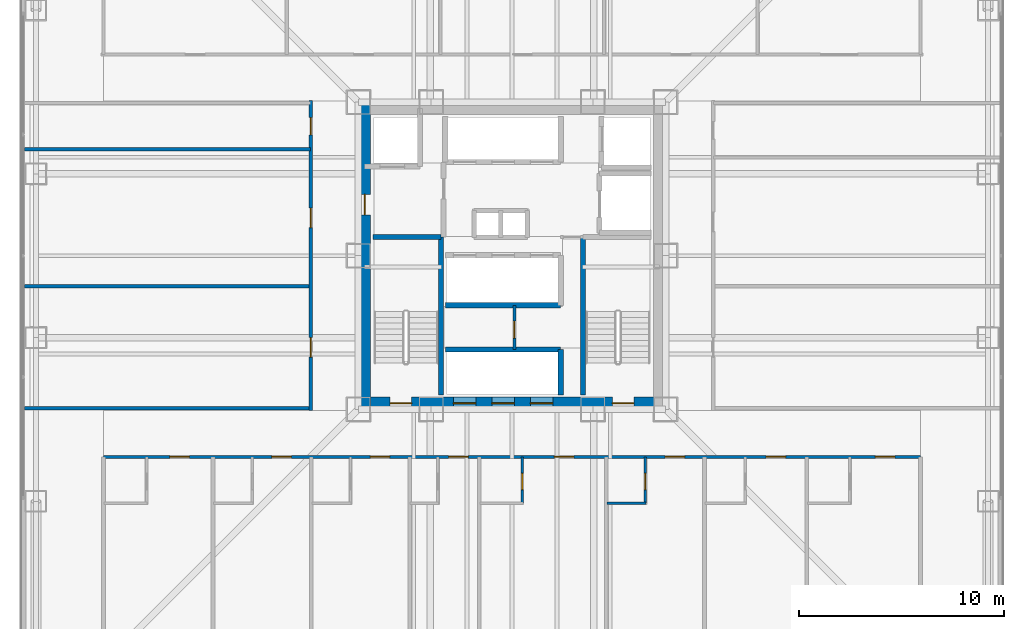
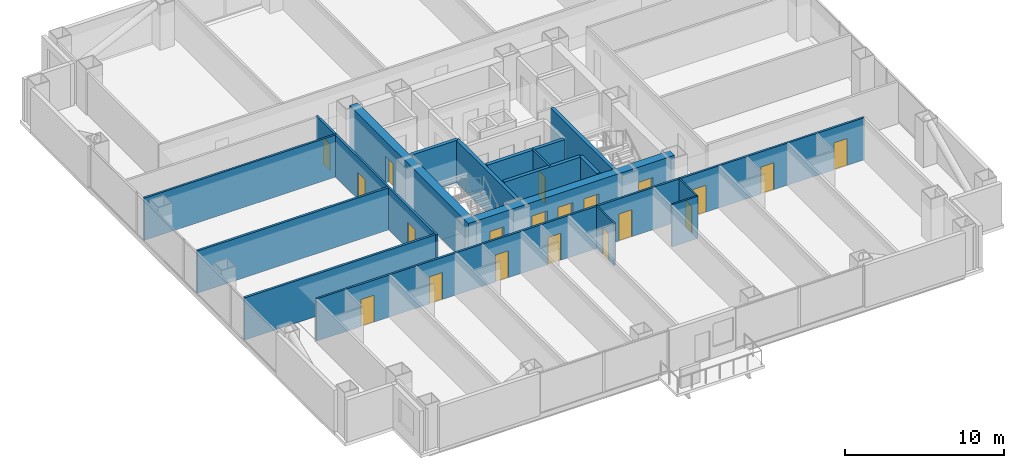
# One storey, part 11 of 16: 20 doors, 17 walls, 20 openings.
"""IFC4 building model written with IfcOpenShell, lengths in metres."""

from ifc_helpers import new_model, si_unit, direction, frame, frame_2d, origin, place, context, subcontext, project, spatial, rectangle, extrude, material, layer, layer_set, type_object, element, fill, save


model = new_model("IFC4")

# Units and contexts
model_context = context("Model", 3, precision=1e-05, world=origin(), true_north=direction((0.0, 1.0)))
body_context = subcontext(model_context, "Body", "Model", "MODEL_VIEW")
ifc_project = project(units=[si_unit("LENGTHUNIT", "METRE"), si_unit("AREAUNIT", "SQUARE_METRE"), si_unit("VOLUMEUNIT", "CUBIC_METRE"), si_unit("PLANEANGLEUNIT", "RADIAN"), si_unit("MASSUNIT", "GRAM", prefix="KILO")], contexts=[model_context])

# Site, building, storey
site_placement = place(None, origin())
site = spatial("IfcSite", under=ifc_project, at=site_placement, CompositionType="ELEMENT")
building_placement = place(site_placement, origin())
building = spatial("IfcBuilding", under=site, at=building_placement, Name="Trevonay Congress Spire", CompositionType="ELEMENT")
storey_placement = place(building_placement, frame((0.0, 0.0, 65.5)))
storey = spatial("IfcBuildingStorey", under=building, at=storey_placement, Name="L16", CompositionType="ELEMENT", Elevation=65.5)

# Wall, opening, door
ifc_material_1 = material(Name="Concrete C40/50", Category="concrete")
ifc_layer_1 = layer(ifc_material_1, 0.1201171875, Name="Concrete C40/50")
ifc_layer_set_1 = layer_set([ifc_layer_1], Name="Concrete C40/50")
wall_type_1 = type_object("IfcWallType", Name="WAL-BATH-120", PredefinedType="PLUMBINGWALL", material=ifc_layer_set_1)
wall_1_placement = place(storey_placement, frame((0.5, -12.080078125, 0.0), z_axis=(0.0, 0.0, 1.0), x_axis=(0.0, 1.0, 0.0)))
wall_1 = element("IfcWall", 1, at=wall_1_placement, inside=storey, type_object=wall_type_1, Name="L16 interior wall WH-L16S-BS5", PredefinedType="PLUMBINGWALL", context=body_context, shape_type="SweptSolid", body=[
    extrude(rectangle(XDim=2.25, YDim=0.1201171875, at=frame_2d((1.125, 0.0))), origin(), (0.0, 0.0, 1.0), 3.25),
])
opening_1_placement = place(wall_1_placement, frame((0.64990234375, 0.0, 0.0)))
opening_1 = element("IfcOpeningElement", 2, at=opening_1_placement, cuts=wall_1, Name="Opening D11", PredefinedType="OPENING", context=body_context, shape_type="SweptSolid", body=[
    extrude(rectangle(XDim=0.800048828125, YDim=2.050048828125, at=frame_2d((0.39990234375, 1.02490234375))), frame((0.0, 0.070068359375, 0.0), z_axis=(0.0, -1.0, 0.0), x_axis=(1.0, 0.0, 0.0)), (0.0, 0.0, 1.0), 0.14013671875),
])
ifc_material_2 = material(Name="Pale Anodised Aluminium EN AW-6063-T6", Category="aluminium")
door_type_1 = type_object("IfcDoorType", Name="DOR-BATH-80", OperationType="NOTDEFINED", PredefinedType="DOOR", material=ifc_material_2)
door_1_placement = place(opening_1_placement, origin())
door_1 = element("IfcDoor", 3, at=door_1_placement, inside=storey, type_object=door_type_1, Name="L16 En-suite Bathroom Door", OperationType="SINGLE_SWING_LEFT", OverallHeight=2.050048828125, OverallWidth=0.800048828125, PredefinedType="DOOR", context=body_context, shape_type="SweptSolid", body=[
    extrude(rectangle(XDim=0.800048828125, YDim=2.050048828125, at=frame_2d((0.39990234375, 1.02490234375))), frame((0.0, 0.02490234375, 0.0), z_axis=(0.0, -1.0, 0.0), x_axis=(1.0, 0.0, 0.0)), (0.0, 0.0, 1.0), 0.050048828125),
])
fill(opening_1, door_1)

wall_2_placement = place(storey_placement, frame((6.512939453125, -12.080078125, 0.0), z_axis=(0.0, 0.0, 1.0), x_axis=(0.0, 1.0, 0.0)))
wall_2 = element("IfcWall", 4, at=wall_2_placement, inside=storey, type_object=wall_type_1, Name="L16 interior wall WH-L16S-BS6", PredefinedType="PLUMBINGWALL", context=body_context, shape_type="SweptSolid", body=[
    extrude(rectangle(XDim=2.25, YDim=0.1201171875, at=frame_2d((1.125, 0.0))), origin(), (0.0, 0.0, 1.0), 3.25),
])
opening_2_placement = place(wall_2_placement, frame((0.64990234375, 0.0, 0.0)))
opening_2 = element("IfcOpeningElement", 5, at=opening_2_placement, cuts=wall_2, Name="Opening D11", PredefinedType="OPENING", context=body_context, shape_type="SweptSolid", body=[
    extrude(rectangle(XDim=0.800048828125, YDim=2.050048828125, at=frame_2d((0.39990234375, 1.02490234375))), frame((0.0, 0.070068359375, 0.0), z_axis=(0.0, -1.0, 0.0), x_axis=(1.0, 0.0, 0.0)), (0.0, 0.0, 1.0), 0.14013671875),
])
door_2_placement = place(opening_2_placement, origin())
door_2 = element("IfcDoor", 6, at=door_2_placement, inside=storey, type_object=door_type_1, Name="L16 En-suite Bathroom Door", OperationType="SINGLE_SWING_RIGHT", OverallHeight=2.050048828125, OverallWidth=0.800048828125, PredefinedType="DOOR", context=body_context, shape_type="SweptSolid", body=[
    extrude(rectangle(XDim=0.800048828125, YDim=2.050048828125, at=frame_2d((0.39990234375, 1.02490234375))), frame((0.0, 0.02490234375, 0.0), z_axis=(0.0, -1.0, 0.0), x_axis=(1.0, 0.0, 0.0)), (0.0, 0.0, 1.0), 0.050048828125),
])
fill(opening_2, door_2)

# Wall
wall_3_placement = place(storey_placement, frame((4.6298828125, -12.080078125, 0.0), z_axis=(0.0, 0.0, 1.0), x_axis=(1.0, 0.0, 0.0)))
element("IfcWall", 7, at=wall_3_placement, inside=storey, type_object=wall_type_1, Name="L16 interior wall WH-L16S-BF6", PredefinedType="PLUMBINGWALL", context=body_context, shape_type="SweptSolid", body=[
    extrude(rectangle(XDim=1.9130859375, YDim=0.1201171875, at=frame_2d((0.95654296875, 0.0))), origin(), (0.0, 0.0, 1.0), 3.25),
])

# Wall, openings, doors
ifc_material_3 = material(Name="Concrete C60/75", Category="concrete")
ifc_layer_2 = layer(ifc_material_3, 0.60009765625, Name="Concrete C60/75")
ifc_layer_set_2 = layer_set([ifc_layer_2], Name="Concrete C60/75")
wall_type_2 = type_object("IfcWallType", Name="WAL-CORE-600", PredefinedType="SHEAR", material=ifc_layer_set_2)
wall_4_placement = place(storey_placement, frame((-7.5, -7.199951171875, 0.0), z_axis=(0.0, 0.0, 1.0), x_axis=(1.0, 0.0, 0.0)))
wall_4 = element("IfcWall", 8, at=wall_4_placement, inside=storey, type_object=wall_type_2, Name="L16 South structural core shear wall", PredefinedType="SHEAR", context=body_context, shape_type="SweptSolid", body=[
    extrude(rectangle(XDim=15.0, YDim=0.60009765625, at=frame_2d((7.5, 0.0))), origin(), (0.0, 0.0, 1.0), 3.25),
])
opening_3_placement = place(wall_4_placement, frame((1.550048828125, 0.0, 0.0)))
opening_3 = element("IfcOpeningElement", 9, at=opening_3_placement, cuts=wall_4, Name="Opening D05", PredefinedType="OPENING", context=body_context, shape_type="SweptSolid", body=[
    extrude(rectangle(XDim=1.050048828125, YDim=2.080078125, at=frame_2d((0.52490234375, 1.0400390625))), frame((0.0, 0.31005859375, 0.0), z_axis=(0.0, -1.0, 0.0), x_axis=(1.0, 0.0, 0.0)), (0.0, 0.0, 1.0), 0.6201171875),
])
opening_4_placement = place(wall_4_placement, frame((12.39990234375, 0.0, 0.0)))
opening_4 = element("IfcOpeningElement", 10, at=opening_4_placement, cuts=wall_4, Name="Opening D05", PredefinedType="OPENING", context=body_context, shape_type="SweptSolid", body=[
    extrude(rectangle(XDim=1.050048828125, YDim=2.080078125, at=frame_2d((0.52490234375, 1.0400390625))), frame((0.0, 0.31005859375, 0.0), z_axis=(0.0, -1.0, 0.0), x_axis=(1.0, 0.0, 0.0)), (0.0, 0.0, 1.0), 0.6201171875),
])
opening_5_placement = place(wall_4_placement, frame((4.639892578125, 0.0, 0.0)))
opening_5 = element("IfcOpeningElement", 11, at=opening_5_placement, cuts=wall_4, Name="Opening LD01", PredefinedType="OPENING", context=body_context, shape_type="SweptSolid", body=[
    extrude(rectangle(XDim=1.10009765625, YDim=2.199951171875, at=frame_2d((0.550048828125, 1.10009765625))), frame((0.0, 0.31005859375, 0.0), z_axis=(0.0, -1.0, 0.0), x_axis=(1.0, 0.0, 0.0)), (0.0, 0.0, 1.0), 0.6201171875),
])
opening_6_placement = place(wall_4_placement, frame((6.52001953125, 0.0, 0.0)))
opening_6 = element("IfcOpeningElement", 12, at=opening_6_placement, cuts=wall_4, Name="Opening LD01", PredefinedType="OPENING", context=body_context, shape_type="SweptSolid", body=[
    extrude(rectangle(XDim=1.10009765625, YDim=2.199951171875, at=frame_2d((0.550048828125, 1.10009765625))), frame((0.0, 0.31005859375, 0.0), z_axis=(0.0, -1.0, 0.0), x_axis=(1.0, 0.0, 0.0)), (0.0, 0.0, 1.0), 0.6201171875),
])
opening_7_placement = place(wall_4_placement, frame((8.39990234375, 0.0, 0.0)))
opening_7 = element("IfcOpeningElement", 13, at=opening_7_placement, cuts=wall_4, Name="Opening LD01", PredefinedType="OPENING", context=body_context, shape_type="SweptSolid", body=[
    extrude(rectangle(XDim=1.10009765625, YDim=2.199951171875, at=frame_2d((0.550048828125, 1.10009765625))), frame((0.0, 0.31005859375, 0.0), z_axis=(0.0, -1.0, 0.0), x_axis=(1.0, 0.0, 0.0)), (0.0, 0.0, 1.0), 0.6201171875),
])
door_type_2 = type_object("IfcDoorType", Name="DOR-LIFT-LD01", OperationType="DOUBLE_DOOR_SLIDING", PredefinedType="DOOR", material=ifc_material_2)
door_3_placement = place(opening_5_placement, origin())
door_3 = element("IfcDoor", 14, at=door_3_placement, inside=storey, type_object=door_type_2, Name="L16 Passenger lift PL-01 landing door", OperationType="DOUBLE_DOOR_SLIDING", OverallHeight=2.199951171875, OverallWidth=1.10009765625, PredefinedType="DOOR", context=body_context, shape_type="SweptSolid", body=[
    extrude(rectangle(XDim=1.10009765625, YDim=2.199951171875, at=frame_2d((0.550048828125, 1.10009765625))), frame((0.0, 0.02490234375, 0.0), z_axis=(0.0, -1.0, 0.0), x_axis=(1.0, 0.0, 0.0)), (0.0, 0.0, 1.0), 0.050048828125),
])
fill(opening_5, door_3)
door_4_placement = place(opening_6_placement, origin())
door_4 = element("IfcDoor", 15, at=door_4_placement, inside=storey, type_object=door_type_2, Name="L16 Passenger lift PL-02 landing door", OperationType="DOUBLE_DOOR_SLIDING", OverallHeight=2.199951171875, OverallWidth=1.10009765625, PredefinedType="DOOR", context=body_context, shape_type="SweptSolid", body=[
    extrude(rectangle(XDim=1.10009765625, YDim=2.199951171875, at=frame_2d((0.550048828125, 1.10009765625))), frame((0.0, 0.02490234375, 0.0), z_axis=(0.0, -1.0, 0.0), x_axis=(1.0, 0.0, 0.0)), (0.0, 0.0, 1.0), 0.050048828125),
])
fill(opening_6, door_4)
door_5_placement = place(opening_7_placement, origin())
door_5 = element("IfcDoor", 16, at=door_5_placement, inside=storey, type_object=door_type_2, Name="L16 Passenger lift PL-03 landing door", OperationType="DOUBLE_DOOR_SLIDING", OverallHeight=2.199951171875, OverallWidth=1.10009765625, PredefinedType="DOOR", context=body_context, shape_type="SweptSolid", body=[
    extrude(rectangle(XDim=1.10009765625, YDim=2.199951171875, at=frame_2d((0.550048828125, 1.10009765625))), frame((0.0, 0.02490234375, 0.0), z_axis=(0.0, -1.0, 0.0), x_axis=(1.0, 0.0, 0.0)), (0.0, 0.0, 1.0), 0.050048828125),
])
fill(opening_7, door_5)
ifc_material_4 = material(Name="Steel ASTM A572 Grade 50", Category="steel")
door_type_3 = type_object("IfcDoorType", Name="DOR-STAIR-110", OperationType="NOTDEFINED", PredefinedType="DOOR", material=ifc_material_4)
door_6_placement = place(opening_3_placement, origin())
door_6 = element("IfcDoor", 17, at=door_6_placement, inside=storey, type_object=door_type_3, Name="L16 Protected Stair ST-1 Door", OperationType="SINGLE_SWING_LEFT", OverallHeight=2.080078125, OverallWidth=1.050048828125, PredefinedType="DOOR", context=body_context, shape_type="SweptSolid", body=[
    extrude(rectangle(XDim=1.050048828125, YDim=2.080078125, at=frame_2d((0.52490234375, 1.0400390625))), frame((0.0, 0.02490234375, 0.0), z_axis=(0.0, -1.0, 0.0), x_axis=(1.0, 0.0, 0.0)), (0.0, 0.0, 1.0), 0.050048828125),
])
fill(opening_3, door_6)
door_7_placement = place(opening_4_placement, origin())
door_7 = element("IfcDoor", 18, at=door_7_placement, inside=storey, type_object=door_type_3, Name="L16 Protected Stair ST-2 Door", OperationType="SINGLE_SWING_RIGHT", OverallHeight=2.080078125, OverallWidth=1.050048828125, PredefinedType="DOOR", context=body_context, shape_type="SweptSolid", body=[
    extrude(rectangle(XDim=1.050048828125, YDim=2.080078125, at=frame_2d((0.52490234375, 1.0400390625))), frame((0.0, 0.02490234375, 0.0), z_axis=(0.0, -1.0, 0.0), x_axis=(1.0, 0.0, 0.0)), (0.0, 0.0, 1.0), 0.050048828125),
])
fill(opening_4, door_7)

# Wall, opening, door
wall_5_placement = place(storey_placement, frame((-7.199951171875, -7.5, 0.0), z_axis=(0.0, 0.0, 1.0), x_axis=(0.0, 1.0, 0.0)))
wall_5 = element("IfcWall", 19, at=wall_5_placement, inside=storey, type_object=wall_type_2, Name="L16 West structural core shear wall", PredefinedType="SHEAR", context=body_context, shape_type="SweptSolid", body=[
    extrude(rectangle(XDim=15.0, YDim=0.60009765625, at=frame_2d((7.5, 0.0))), origin(), (0.0, 0.0, 1.0), 3.25),
])
opening_8_placement = place(wall_5_placement, frame((9.5, 0.0, 0.0)))
opening_8 = element("IfcOpeningElement", 20, at=opening_8_placement, cuts=wall_5, Name="Opening D06", PredefinedType="OPENING", context=body_context, shape_type="SweptSolid", body=[
    extrude(rectangle(XDim=1.0, YDim=2.080078125, at=frame_2d((0.5, 1.0400390625))), frame((0.0, 0.31005859375, 0.0), z_axis=(0.0, -1.0, 0.0), x_axis=(1.0, 0.0, 0.0)), (0.0, 0.0, 1.0), 0.6201171875),
])
door_type_4 = type_object("IfcDoorType", Name="DOR-FIRE-100", OperationType="NOTDEFINED", PredefinedType="DOOR", material=ifc_material_4)
door_8_placement = place(opening_8_placement, origin())
door_8 = element("IfcDoor", 21, at=door_8_placement, inside=storey, type_object=door_type_4, Name="L16 Firefighting Lift Lobby West Corridor Door", OperationType="SINGLE_SWING_LEFT", OverallHeight=2.080078125, OverallWidth=1.0, PredefinedType="DOOR", context=body_context, shape_type="SweptSolid", body=[
    extrude(rectangle(XDim=1.0, YDim=2.080078125, at=frame_2d((0.5, 1.0400390625))), frame((0.0, 0.02490234375, 0.0), z_axis=(0.0, -1.0, 0.0), x_axis=(1.0, 0.0, 0.0)), (0.0, 0.0, 1.0), 0.050048828125),
])
fill(opening_8, door_8)

# Wall, openings, doors
ifc_layer_3 = layer(ifc_material_1, 0.14990234375, Name="Concrete C40/50")
ifc_layer_set_3 = layer_set([ifc_layer_3], Name="Concrete C40/50")
wall_type_3 = type_object("IfcWallType", Name="WAL-CORR-150", PredefinedType="PARTITIONING", material=ifc_layer_set_3)
wall_6_placement = place(storey_placement, frame((-19.949951171875, -9.830078125, 0.0), z_axis=(0.0, 0.0, 1.0), x_axis=(1.0, 0.0, 0.0)))
wall_6 = element("IfcWall", 22, at=wall_6_placement, inside=storey, type_object=wall_type_3, Name="L16 interior wall WH-L16S-COR", PredefinedType="PARTITIONING", context=body_context, shape_type="SweptSolid", body=[
    extrude(rectangle(XDim=39.89990234375, YDim=0.14990234375, at=frame_2d((19.949951171875, 0.0))), origin(), (0.0, 0.0, 1.0), 3.25),
])
opening_9_placement = place(wall_6_placement, frame((3.2451171875, 0.0, 0.0)))
opening_9 = element("IfcOpeningElement", 23, at=opening_9_placement, cuts=wall_6, Name="Opening D08", PredefinedType="OPENING", context=body_context, shape_type="SweptSolid", body=[
    extrude(rectangle(XDim=0.949951171875, YDim=2.080078125, at=frame_2d((0.47509765625, 1.0400390625))), frame((0.0, 0.0849609375, 0.0), z_axis=(0.0, -1.0, 0.0), x_axis=(1.0, 0.0, 0.0)), (0.0, 0.0, 1.0), 0.169921875),
])
opening_10_placement = place(wall_6_placement, frame((8.2265625, 0.0, 0.0)))
opening_10 = element("IfcOpeningElement", 24, at=opening_10_placement, cuts=wall_6, Name="Opening D08", PredefinedType="OPENING", context=body_context, shape_type="SweptSolid", body=[
    extrude(rectangle(XDim=0.949951171875, YDim=2.080078125, at=frame_2d((0.47509765625, 1.0400390625))), frame((0.0, 0.0849609375, 0.0), z_axis=(0.0, -1.0, 0.0), x_axis=(1.0, 0.0, 0.0)), (0.0, 0.0, 1.0), 0.169921875),
])
opening_11_placement = place(wall_6_placement, frame((13.026611328125, 0.0, 0.0)))
opening_11 = element("IfcOpeningElement", 25, at=opening_11_placement, cuts=wall_6, Name="Opening D08", PredefinedType="OPENING", context=body_context, shape_type="SweptSolid", body=[
    extrude(rectangle(XDim=0.949951171875, YDim=2.080078125, at=frame_2d((0.47509765625, 1.0400390625))), frame((0.0, 0.0849609375, 0.0), z_axis=(0.0, -1.0, 0.0), x_axis=(1.0, 0.0, 0.0)), (0.0, 0.0, 1.0), 0.169921875),
])
opening_12_placement = place(wall_6_placement, frame((16.860595703125, 0.0, 0.0)))
opening_12 = element("IfcOpeningElement", 26, at=opening_12_placement, cuts=wall_6, Name="Opening D08", PredefinedType="OPENING", context=body_context, shape_type="SweptSolid", body=[
    extrude(rectangle(XDim=0.949951171875, YDim=2.080078125, at=frame_2d((0.47509765625, 1.0400390625))), frame((0.0, 0.0849609375, 0.0), z_axis=(0.0, -1.0, 0.0), x_axis=(1.0, 0.0, 0.0)), (0.0, 0.0, 1.0), 0.169921875),
])
opening_13_placement = place(wall_6_placement, frame((22.02001953125, 0.0, 0.0)))
opening_13 = element("IfcOpeningElement", 27, at=opening_13_placement, cuts=wall_6, Name="Opening D08", PredefinedType="OPENING", context=body_context, shape_type="SweptSolid", body=[
    extrude(rectangle(XDim=0.949951171875, YDim=2.080078125, at=frame_2d((0.47509765625, 1.0400390625))), frame((0.0, 0.0849609375, 0.0), z_axis=(0.0, -1.0, 0.0), x_axis=(1.0, 0.0, 0.0)), (0.0, 0.0, 1.0), 0.169921875),
])
opening_14_placement = place(wall_6_placement, frame((27.426513671875, 0.0, 0.0)))
opening_14 = element("IfcOpeningElement", 28, at=opening_14_placement, cuts=wall_6, Name="Opening D08", PredefinedType="OPENING", context=body_context, shape_type="SweptSolid", body=[
    extrude(rectangle(XDim=0.949951171875, YDim=2.080078125, at=frame_2d((0.47509765625, 1.0400390625))), frame((0.0, 0.0849609375, 0.0), z_axis=(0.0, -1.0, 0.0), x_axis=(1.0, 0.0, 0.0)), (0.0, 0.0, 1.0), 0.169921875),
])
opening_15_placement = place(wall_6_placement, frame((32.364501953125, 0.0, 0.0)))
opening_15 = element("IfcOpeningElement", 29, at=opening_15_placement, cuts=wall_6, Name="Opening D08", PredefinedType="OPENING", context=body_context, shape_type="SweptSolid", body=[
    extrude(rectangle(XDim=0.949951171875, YDim=2.080078125, at=frame_2d((0.47509765625, 1.0400390625))), frame((0.0, 0.0849609375, 0.0), z_axis=(0.0, -1.0, 0.0), x_axis=(1.0, 0.0, 0.0)), (0.0, 0.0, 1.0), 0.169921875),
])
opening_16_placement = place(wall_6_placement, frame((37.695068359375, 0.0, 0.0)))
opening_16 = element("IfcOpeningElement", 30, at=opening_16_placement, cuts=wall_6, Name="Opening D08", PredefinedType="OPENING", context=body_context, shape_type="SweptSolid", body=[
    extrude(rectangle(XDim=0.949951171875, YDim=2.080078125, at=frame_2d((0.47509765625, 1.0400390625))), frame((0.0, 0.0849609375, 0.0), z_axis=(0.0, -1.0, 0.0), x_axis=(1.0, 0.0, 0.0)), (0.0, 0.0, 1.0), 0.169921875),
])
door_type_5 = type_object("IfcDoorType", Name="DOR-SUITE-95", OperationType="NOTDEFINED", PredefinedType="DOOR", material=ifc_material_2)
door_9_placement = place(opening_9_placement, origin())
door_9 = element("IfcDoor", 31, at=door_9_placement, inside=storey, type_object=door_type_5, Name="L16 Hotel Guest Room Entrance Door", OperationType="SINGLE_SWING_LEFT", OverallHeight=2.080078125, OverallWidth=0.949951171875, PredefinedType="DOOR", context=body_context, shape_type="SweptSolid", body=[
    extrude(rectangle(XDim=0.949951171875, YDim=2.080078125, at=frame_2d((0.47509765625, 1.0400390625))), frame((0.0, 0.02490234375, 0.0), z_axis=(0.0, -1.0, 0.0), x_axis=(1.0, 0.0, 0.0)), (0.0, 0.0, 1.0), 0.050048828125),
])
fill(opening_9, door_9)
door_10_placement = place(opening_10_placement, origin())
door_10 = element("IfcDoor", 32, at=door_10_placement, inside=storey, type_object=door_type_5, Name="L16 Corner Hotel Suite Entrance Door", OperationType="SINGLE_SWING_RIGHT", OverallHeight=2.080078125, OverallWidth=0.949951171875, PredefinedType="DOOR", context=body_context, shape_type="SweptSolid", body=[
    extrude(rectangle(XDim=0.949951171875, YDim=2.080078125, at=frame_2d((0.47509765625, 1.0400390625))), frame((0.0, 0.02490234375, 0.0), z_axis=(0.0, -1.0, 0.0), x_axis=(1.0, 0.0, 0.0)), (0.0, 0.0, 1.0), 0.050048828125),
])
fill(opening_10, door_10)
door_11_placement = place(opening_11_placement, origin())
door_11 = element("IfcDoor", 33, at=door_11_placement, inside=storey, type_object=door_type_5, Name="L16 Hotel Guest Room Entrance Door", OperationType="SINGLE_SWING_LEFT", OverallHeight=2.080078125, OverallWidth=0.949951171875, PredefinedType="DOOR", context=body_context, shape_type="SweptSolid", body=[
    extrude(rectangle(XDim=0.949951171875, YDim=2.080078125, at=frame_2d((0.47509765625, 1.0400390625))), frame((0.0, 0.02490234375, 0.0), z_axis=(0.0, -1.0, 0.0), x_axis=(1.0, 0.0, 0.0)), (0.0, 0.0, 1.0), 0.050048828125),
])
fill(opening_11, door_11)
door_12_placement = place(opening_12_placement, origin())
door_12 = element("IfcDoor", 34, at=door_12_placement, inside=storey, type_object=door_type_5, Name="L16 Hotel Guest Room Entrance Door", OperationType="SINGLE_SWING_RIGHT", OverallHeight=2.080078125, OverallWidth=0.949951171875, PredefinedType="DOOR", context=body_context, shape_type="SweptSolid", body=[
    extrude(rectangle(XDim=0.949951171875, YDim=2.080078125, at=frame_2d((0.47509765625, 1.0400390625))), frame((0.0, 0.02490234375, 0.0), z_axis=(0.0, -1.0, 0.0), x_axis=(1.0, 0.0, 0.0)), (0.0, 0.0, 1.0), 0.050048828125),
])
fill(opening_12, door_12)
door_13_placement = place(opening_13_placement, origin())
door_13 = element("IfcDoor", 35, at=door_13_placement, inside=storey, type_object=door_type_5, Name="L16 Hotel Guest Room Entrance Door", OperationType="SINGLE_SWING_LEFT", OverallHeight=2.080078125, OverallWidth=0.949951171875, PredefinedType="DOOR", context=body_context, shape_type="SweptSolid", body=[
    extrude(rectangle(XDim=0.949951171875, YDim=2.080078125, at=frame_2d((0.47509765625, 1.0400390625))), frame((0.0, 0.02490234375, 0.0), z_axis=(0.0, -1.0, 0.0), x_axis=(1.0, 0.0, 0.0)), (0.0, 0.0, 1.0), 0.050048828125),
])
fill(opening_13, door_13)
door_14_placement = place(opening_14_placement, origin())
door_14 = element("IfcDoor", 36, at=door_14_placement, inside=storey, type_object=door_type_5, Name="L16 Hotel Guest Room Entrance Door", OperationType="SINGLE_SWING_RIGHT", OverallHeight=2.080078125, OverallWidth=0.949951171875, PredefinedType="DOOR", context=body_context, shape_type="SweptSolid", body=[
    extrude(rectangle(XDim=0.949951171875, YDim=2.080078125, at=frame_2d((0.47509765625, 1.0400390625))), frame((0.0, 0.02490234375, 0.0), z_axis=(0.0, -1.0, 0.0), x_axis=(1.0, 0.0, 0.0)), (0.0, 0.0, 1.0), 0.050048828125),
])
fill(opening_14, door_14)
door_15_placement = place(opening_15_placement, origin())
door_15 = element("IfcDoor", 37, at=door_15_placement, inside=storey, type_object=door_type_5, Name="L16 Corner Hotel Suite Entrance Door", OperationType="SINGLE_SWING_LEFT", OverallHeight=2.080078125, OverallWidth=0.949951171875, PredefinedType="DOOR", context=body_context, shape_type="SweptSolid", body=[
    extrude(rectangle(XDim=0.949951171875, YDim=2.080078125, at=frame_2d((0.47509765625, 1.0400390625))), frame((0.0, 0.02490234375, 0.0), z_axis=(0.0, -1.0, 0.0), x_axis=(1.0, 0.0, 0.0)), (0.0, 0.0, 1.0), 0.050048828125),
])
fill(opening_15, door_15)
door_16_placement = place(opening_16_placement, origin())
door_16 = element("IfcDoor", 38, at=door_16_placement, inside=storey, type_object=door_type_5, Name="L16 Hotel Guest Room Entrance Door", OperationType="SINGLE_SWING_RIGHT", OverallHeight=2.080078125, OverallWidth=0.949951171875, PredefinedType="DOOR", context=body_context, shape_type="SweptSolid", body=[
    extrude(rectangle(XDim=0.949951171875, YDim=2.080078125, at=frame_2d((0.47509765625, 1.0400390625))), frame((0.0, 0.02490234375, 0.0), z_axis=(0.0, -1.0, 0.0), x_axis=(1.0, 0.0, 0.0)), (0.0, 0.0, 1.0), 0.050048828125),
])
fill(opening_16, door_16)

wall_7_placement = place(storey_placement, frame((-9.830078125, -7.570068359375, 0.0), z_axis=(0.0, 0.0, 1.0), x_axis=(0.0, 1.0, 0.0)))
wall_7 = element("IfcWall", 39, at=wall_7_placement, inside=storey, type_object=wall_type_3, Name="L16 interior wall WP-L16W-COR", PredefinedType="PARTITIONING", context=body_context, shape_type="SweptSolid", body=[
    extrude(rectangle(XDim=15.14013671875, YDim=0.14990234375, at=frame_2d((7.570068359375, 0.0))), origin(), (0.0, 0.0, 1.0), 3.25),
])
opening_17_placement = place(wall_7_placement, frame((2.6201171875, 0.0, 0.0)))
opening_17 = element("IfcOpeningElement", 40, at=opening_17_placement, cuts=wall_7, Name="Opening D07", PredefinedType="OPENING", context=body_context, shape_type="SweptSolid", body=[
    extrude(rectangle(XDim=0.949951171875, YDim=2.06005859375, at=frame_2d((0.47509765625, 1.030029296875))), frame((0.0, 0.0849609375, 0.0), z_axis=(0.0, -1.0, 0.0), x_axis=(1.0, 0.0, 0.0)), (0.0, 0.0, 1.0), 0.169921875),
])
opening_18_placement = place(wall_7_placement, frame((8.945068359375, 0.0, 0.0)))
opening_18 = element("IfcOpeningElement", 41, at=opening_18_placement, cuts=wall_7, Name="Opening D07", PredefinedType="OPENING", context=body_context, shape_type="SweptSolid", body=[
    extrude(rectangle(XDim=0.949951171875, YDim=2.06005859375, at=frame_2d((0.47509765625, 1.030029296875))), frame((0.0, 0.0849609375, 0.0), z_axis=(0.0, -1.0, 0.0), x_axis=(1.0, 0.0, 0.0)), (0.0, 0.0, 1.0), 0.169921875),
])
opening_19_placement = place(wall_7_placement, frame((13.469970703125, 0.0, 0.0)))
opening_19 = element("IfcOpeningElement", 42, at=opening_19_placement, cuts=wall_7, Name="Opening D10", PredefinedType="OPENING", context=body_context, shape_type="SweptSolid", body=[
    extrude(rectangle(XDim=0.85009765625, YDim=2.050048828125, at=frame_2d((0.425048828125, 1.02490234375))), frame((0.0, 0.0849609375, 0.0), z_axis=(0.0, -1.0, 0.0), x_axis=(1.0, 0.0, 0.0)), (0.0, 0.0, 1.0), 0.169921875),
])
door_type_6 = type_object("IfcDoorType", Name="DOR-OFFICE-95", OperationType="NOTDEFINED", PredefinedType="DOOR", material=ifc_material_2)
door_17_placement = place(opening_17_placement, origin())
door_17 = element("IfcDoor", 43, at=door_17_placement, inside=storey, type_object=door_type_6, Name="L16 Club Concierge Office Door", OperationType="SINGLE_SWING_LEFT", OverallHeight=2.06005859375, OverallWidth=0.949951171875, PredefinedType="DOOR", context=body_context, shape_type="SweptSolid", body=[
    extrude(rectangle(XDim=0.949951171875, YDim=2.06005859375, at=frame_2d((0.47509765625, 1.030029296875))), frame((0.0, 0.02490234375, 0.0), z_axis=(0.0, -1.0, 0.0), x_axis=(1.0, 0.0, 0.0)), (0.0, 0.0, 1.0), 0.050048828125),
])
fill(opening_17, door_17)
door_18_placement = place(opening_18_placement, origin())
door_18 = element("IfcDoor", 44, at=door_18_placement, inside=storey, type_object=door_type_6, Name="L16 Protocol Briefing Office Door", OperationType="SINGLE_SWING_RIGHT", OverallHeight=2.06005859375, OverallWidth=0.949951171875, PredefinedType="DOOR", context=body_context, shape_type="SweptSolid", body=[
    extrude(rectangle(XDim=0.949951171875, YDim=2.06005859375, at=frame_2d((0.47509765625, 1.030029296875))), frame((0.0, 0.02490234375, 0.0), z_axis=(0.0, -1.0, 0.0), x_axis=(1.0, 0.0, 0.0)), (0.0, 0.0, 1.0), 0.050048828125),
])
fill(opening_18, door_18)
door_type_7 = type_object("IfcDoorType", Name="DOR-WC-85", OperationType="NOTDEFINED", PredefinedType="DOOR", material=ifc_material_2)
door_19_placement = place(opening_19_placement, origin())
door_19 = element("IfcDoor", 45, at=door_19_placement, inside=storey, type_object=door_type_7, Name="L16 Accessible WC Door", OperationType="SINGLE_SWING_LEFT", OverallHeight=2.050048828125, OverallWidth=0.85009765625, PredefinedType="DOOR", context=body_context, shape_type="SweptSolid", body=[
    extrude(rectangle(XDim=0.85009765625, YDim=2.050048828125, at=frame_2d((0.425048828125, 1.02490234375))), frame((0.0, 0.02490234375, 0.0), z_axis=(0.0, -1.0, 0.0), x_axis=(1.0, 0.0, 0.0)), (0.0, 0.0, 1.0), 0.050048828125),
])
fill(opening_19, door_19)

# Wall, opening, door
ifc_layer_4 = layer(ifc_material_1, 0.14990234375, Name="Concrete C40/50")
ifc_layer_set_4 = layer_set([ifc_layer_4], Name="Concrete C40/50")
wall_type_4 = type_object("IfcWallType", Name="WAL-PART-150", PredefinedType="PARTITIONING", material=ifc_layer_set_4)
wall_8_placement = place(storey_placement, frame((0.1201171875, -4.570068359375, 0.0), z_axis=(0.0, 0.0, 1.0), x_axis=(0.0, 1.0, 0.0)))
wall_8 = element("IfcWall", 46, at=wall_8_placement, inside=storey, type_object=wall_type_4, Name="L16 interior wall CW-K1-L16", PredefinedType="PARTITIONING", context=body_context, shape_type="SweptSolid", body=[
    extrude(rectangle(XDim=2.14013671875, YDim=0.14990234375, at=frame_2d((1.070068359375, 0.0))), origin(), (0.0, 0.0, 1.0), 3.25),
])
opening_20_placement = place(wall_8_placement, frame((0.550048828125, 0.0, 0.0)))
opening_20 = element("IfcOpeningElement", 47, at=opening_20_placement, cuts=wall_8, Name="Opening D13", PredefinedType="OPENING", context=body_context, shape_type="SweptSolid", body=[
    extrude(rectangle(XDim=0.820068359375, YDim=2.050048828125, at=frame_2d((0.41015625, 1.02490234375))), frame((0.0, 0.0849609375, 0.0), z_axis=(0.0, -1.0, 0.0), x_axis=(1.0, 0.0, 0.0)), (0.0, 0.0, 1.0), 0.169921875),
])
door_type_8 = type_object("IfcDoorType", Name="DOR-UTIL-80", OperationType="NOTDEFINED", PredefinedType="DOOR", material=ifc_material_4)
door_20_placement = place(opening_20_placement, origin())
door_20 = element("IfcDoor", 48, at=door_20_placement, inside=storey, type_object=door_type_8, Name="L16 Core Closet Door", OperationType="SINGLE_SWING_RIGHT", OverallHeight=2.050048828125, OverallWidth=0.820068359375, PredefinedType="DOOR", context=body_context, shape_type="SweptSolid", body=[
    extrude(rectangle(XDim=0.820068359375, YDim=2.050048828125, at=frame_2d((0.41015625, 1.02490234375))), frame((0.0, 0.02490234375, 0.0), z_axis=(0.0, -1.0, 0.0), x_axis=(1.0, 0.0, 0.0)), (0.0, 0.0, 1.0), 0.050048828125),
])
fill(opening_20, door_20)

# Walls
wall_9_placement = place(storey_placement, frame((-23.820068359375, 5.199951171875, 0.0), z_axis=(0.0, 0.0, 1.0), x_axis=(1.0, 0.0, 0.0)))
element("IfcWall", 49, at=wall_9_placement, inside=storey, type_object=wall_type_4, Name="L16 interior wall WP-L16W-DIV3", PredefinedType="PARTITIONING", context=body_context, shape_type="SweptSolid", body=[
    extrude(rectangle(XDim=13.989990234375, YDim=0.14990234375, at=frame_2d((6.9951171875, 0.0))), origin(), (0.0, 0.0, 1.0), 3.25),
])
ifc_layer_5 = layer(ifc_material_1, 0.25, Name="Concrete C40/50")
ifc_layer_set_5 = layer_set([ifc_layer_5], Name="Concrete C40/50")
wall_type_5 = type_object("IfcWallType", Name="WAL-SHAFT-250", PredefinedType="SHEAR", material=ifc_layer_set_5)
wall_10_placement = place(storey_placement, frame((-3.260009765625, -4.580078125, 0.0), z_axis=(0.0, 0.0, 1.0), x_axis=(1.0, 0.0, 0.0)))
element("IfcWall", 50, at=wall_10_placement, inside=storey, type_object=wall_type_5, Name="L16 interior shaft wall WSH-L16-B1-N", PredefinedType="SHEAR", context=body_context, shape_type="SweptSolid", body=[
    extrude(rectangle(XDim=5.639892578125, YDim=0.25, at=frame_2d((2.81982421875, 0.0))), origin(), (0.0, 0.0, 1.0), 3.25),
])
wall_11_placement = place(storey_placement, frame((2.3798828125, -6.800048828125, 0.0), z_axis=(0.0, 0.0, 1.0), x_axis=(0.0, 1.0, 0.0)))
element("IfcWall", 51, at=wall_11_placement, inside=storey, type_object=wall_type_5, Name="L16 interior shaft wall WSH-L16-B1-E", PredefinedType="SHEAR", context=body_context, shape_type="SweptSolid", body=[
    extrude(rectangle(XDim=2.219970703125, YDim=0.25, at=frame_2d((1.10986328125, 0.0))), origin(), (0.0, 0.0, 1.0), 3.25),
])
wall_12_placement = place(storey_placement, frame((-3.260009765625, -2.419921875, 0.0), z_axis=(0.0, 0.0, 1.0), x_axis=(1.0, 0.0, 0.0)))
element("IfcWall", 52, at=wall_12_placement, inside=storey, type_object=wall_type_5, Name="L16 interior shaft wall WSH-L16-B2-S", PredefinedType="SHEAR", context=body_context, shape_type="SweptSolid", body=[
    extrude(rectangle(XDim=5.639892578125, YDim=0.25, at=frame_2d((2.81982421875, 0.0))), origin(), (0.0, 0.0, 1.0), 3.25),
])
ifc_layer_6 = layer(ifc_material_1, 0.25, Name="Concrete C40/50")
ifc_layer_set_6 = layer_set([ifc_layer_6], Name="Concrete C40/50")
wall_type_6 = type_object("IfcWallType", Name="WAL-SHAFT-LB-250", PredefinedType="SHEAR", material=ifc_layer_set_6)
wall_13_placement = place(storey_placement, frame((-3.469970703125, -6.800048828125, 0.0), z_axis=(0.0, 0.0, 1.0), x_axis=(0.0, 1.0, 0.0)))
element("IfcWall", 53, at=wall_13_placement, inside=storey, type_object=wall_type_6, Name="L16 interior shaft wall WSH-L16-ST1-E", PredefinedType="SHEAR", context=body_context, shape_type="SweptSolid", body=[
    extrude(rectangle(XDim=7.719970703125, YDim=0.25, at=frame_2d((3.85986328125, 0.0))), origin(), (0.0, 0.0, 1.0), 3.25),
])
wall_14_placement = place(storey_placement, frame((-6.800048828125, 0.919921875, 0.0), z_axis=(0.0, 0.0, 1.0), x_axis=(1.0, 0.0, 0.0)))
element("IfcWall", 54, at=wall_14_placement, inside=storey, type_object=wall_type_6, Name="L16 interior shaft wall WSH-L16-ST1-N", PredefinedType="SHEAR", context=body_context, shape_type="SweptSolid", body=[
    extrude(rectangle(XDim=3.330078125, YDim=0.25, at=frame_2d((1.6650390625, 0.0))), origin(), (0.0, 0.0, 1.0), 3.25),
])
wall_15_placement = place(storey_placement, frame((3.469970703125, -6.800048828125, 0.0), z_axis=(0.0, 0.0, 1.0), x_axis=(0.0, 1.0, 0.0)))
element("IfcWall", 55, at=wall_15_placement, inside=storey, type_object=wall_type_6, Name="L16 interior shaft wall WSH-L16-ST2-W", PredefinedType="SHEAR", context=body_context, shape_type="SweptSolid", body=[
    extrude(rectangle(XDim=7.719970703125, YDim=0.25, at=frame_2d((3.85986328125, 0.0))), origin(), (0.0, 0.0, 1.0), 3.25),
])
ifc_layer_7 = layer(ifc_material_1, 0.1650390625, Name="Concrete C40/50")
ifc_layer_set_7 = layer_set([ifc_layer_7], Name="Concrete C40/50")
wall_type_7 = type_object("IfcWallType", Name="WAL-WET-165", PredefinedType="PLUMBINGWALL", material=ifc_layer_set_7)
for number, where, z_axis, x_axis, name in (
    (56, (-23.820068359375, -7.449951171875, 0.0), (0.0, 0.0, 1.0), (1.0, 0.0, 0.0), "L16 interior wall WP-L16W-DIV1"),
    (57, (-23.820068359375, -1.5, 0.0), (0.0, 0.0, 1.0), (1.0, 0.0, 0.0), "L16 interior wall WP-L16W-DIV2"),
):
    element("IfcWall", number, at=place(storey_placement, frame(where, z_axis=z_axis, x_axis=x_axis)), inside=storey, type_object=wall_type_7, Name=name, PredefinedType="PLUMBINGWALL", context=body_context, shape_type="SweptSolid", body=[
        extrude(rectangle(XDim=13.989990234375, YDim=0.1650390625, at=frame_2d((6.9951171875, 0.0))), origin(), (0.0, 0.0, 1.0), 3.25),
    ])

save(model, "model.ifc")
